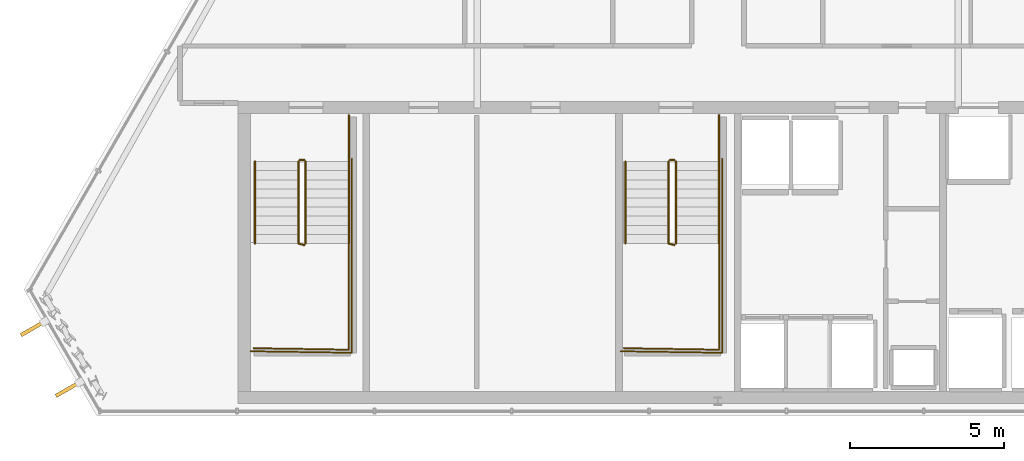
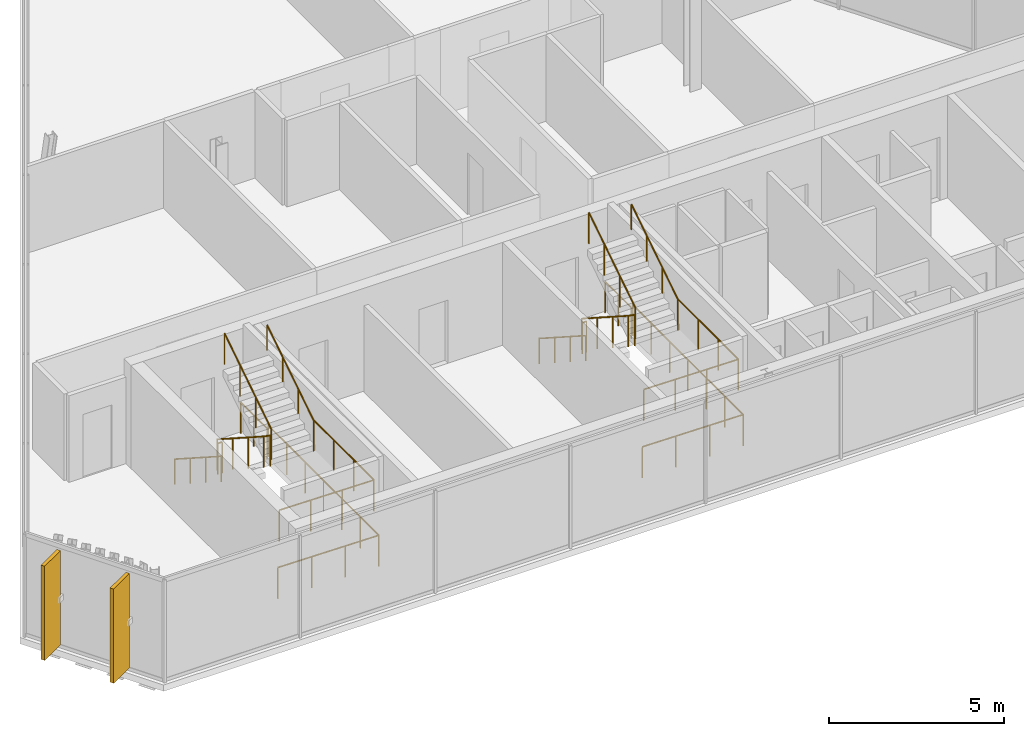
# One storey, part 30 of 32: 16 railings, 2 shading devices.
"""IFC4 building model written with IfcOpenShell, lengths in metres."""

from ifc_helpers import new_model, si_unit, direction, frame, origin, origin_2d, place, context, subcontext, project, spatial, rectangle, circle, extrude, material, layer, layer_set, type_object, element, save


model = new_model("IFC4")

# Units and contexts
model_context = context("Model", 3, precision=1e-05, world=origin(), true_north=direction((0.0, 1.0)))
body_context = subcontext(model_context, "Body", "Model", "MODEL_VIEW")
ifc_project = project(units=[si_unit("LENGTHUNIT", "METRE"), si_unit("AREAUNIT", "SQUARE_METRE"), si_unit("VOLUMEUNIT", "CUBIC_METRE"), si_unit("PLANEANGLEUNIT", "RADIAN"), si_unit("MASSUNIT", "GRAM", prefix="KILO")], contexts=[model_context])

# Site, building, storey
site_placement = place(None, origin())
site = spatial("IfcSite", under=ifc_project, at=site_placement, CompositionType="ELEMENT")
building_placement = place(site_placement, origin())
building = spatial("IfcBuilding", under=site, at=building_placement, Name="Ndaravel Arena Tower", CompositionType="ELEMENT")
storey_placement = place(building_placement, frame((0.0, 0.0, 290.89990234375)))
storey = spatial("IfcBuildingStorey", under=building, at=storey_placement, Name="L71", CompositionType="ELEMENT", Elevation=290.89990234375)

# Railings
ifc_material_1 = material(Name="Steel S355", Category="steel")
ifc_layer_1 = layer(ifc_material_1, 0.06005859375)
ifc_layer_set_1 = layer_set([ifc_layer_1], Name="Steel S355")
railing_type_1 = type_object("IfcRailingType", Name="RAIL-STAIR-GD1100", PredefinedType="GUARDRAIL", material=ifc_layer_set_1)
railing_1_placement = place(storey_placement, frame((28.39990234375, 13.25, 0.190185546875)))
element("IfcRailing", 1, at=railing_1_placement, inside=storey, type_object=railing_type_1, Name="L71 ST-1 stair guard 1", PredefinedType="GUARDRAIL", context=body_context, shape_type="SweptSolid", body=[
    extrude(circle(Radius=0.02392578125, at=origin_2d()), frame((0.0, 0.0, 1.076171875), z_axis=(0.0, -0.840723540582, 0.54146461409), x_axis=(1.0, 0.0, 0.0)), (0.0, 0.0, 1.0), 3.157958984375),
    extrude(circle(Radius=0.02392578125, at=origin_2d()), frame((0.0, -2.655029296875, 2.7861328125), z_axis=(0.967074537263, -0.25449329928, 0.0), x_axis=(0.25449329928, 0.967074537263, 0.0)), (0.0, 0.0, 1.0), 0.19677734375),
    extrude(circle(Radius=0.02099609375, at=origin_2d()), origin(), (0.0, 0.0, 1.0), 1.052001953125),
    extrude(circle(Radius=0.02099609375, at=origin_2d()), frame((0.0, -0.885009765625, 0.570068359375)), (0.0, 0.0, 1.0), 1.052001953125),
    extrude(circle(Radius=0.02099609375, at=origin_2d()), frame((0.0, -1.77001953125, 1.139892578125)), (0.0, 0.0, 1.0), 1.052001953125),
    extrude(circle(Radius=0.02099609375, at=origin_2d()), frame((0.0, -2.655029296875, 1.7099609375)), (0.0, 0.0, 1.0), 1.052001953125),
    extrude(circle(Radius=0.02099609375, at=origin_2d()), frame((0.190185546875, -2.705078125, 1.7099609375)), (0.0, 0.0, 1.0), 1.052001953125),
])
railing_2_placement = place(storey_placement, frame((30.0400390625, 10.594970703125, 1.900146484375)))
element("IfcRailing", 2, at=railing_2_placement, inside=storey, type_object=railing_type_1, Name="L71 ST-1 stair guard 2", PredefinedType="GUARDRAIL", context=body_context, shape_type="SweptSolid", body=[
    extrude(circle(Radius=0.02392578125, at=origin_2d()), frame((0.0, 0.0, 1.076171875), z_axis=(0.0, -1.0, 0.0), x_axis=(1.0, 0.0, 0.0)), (0.0, 0.0, 1.0), 3.445068359375),
    extrude(circle(Radius=0.02392578125, at=origin_2d()), frame((0.0, -3.445068359375, 1.076171875), z_axis=(-0.999868861343, 0.016194447071, 0.0), x_axis=(-0.016194447071, -0.999868861343, 0.0)), (0.0, 0.0, 1.0), 3.090576171875),
    extrude(circle(Radius=0.02099609375, at=origin_2d()), origin(), (0.0, 0.0, 1.0), 1.052001953125),
    extrude(circle(Radius=0.02099609375, at=origin_2d()), frame((0.0, -1.1484375, 0.0)), (0.0, 0.0, 1.0), 1.052001953125),
    extrude(circle(Radius=0.02099609375, at=origin_2d()), frame((0.0, -2.296630859375, 0.0)), (0.0, 0.0, 1.0), 1.052001953125),
    extrude(circle(Radius=0.02099609375, at=origin_2d()), frame((0.0, -3.445068359375, 0.0)), (0.0, 0.0, 1.0), 1.052001953125),
    extrude(circle(Radius=0.02099609375, at=origin_2d()), frame((-1.030029296875, -3.428466796875, 0.0)), (0.0, 0.0, 1.0), 1.052001953125),
    extrude(circle(Radius=0.02099609375, at=origin_2d()), frame((-2.06005859375, -3.41162109375, 0.0)), (0.0, 0.0, 1.0), 1.052001953125),
    extrude(circle(Radius=0.02099609375, at=origin_2d()), frame((-3.090087890625, -3.39501953125, 0.0)), (0.0, 0.0, 1.0), 1.052001953125),
])
railing_3_placement = place(storey_placement, frame((28.639892578125, 10.594970703125, 2.090087890625)))
element("IfcRailing", 3, at=railing_3_placement, inside=storey, type_object=railing_type_1, Name="L71 ST-1 stair guard 3", PredefinedType="GUARDRAIL", context=body_context, shape_type="SweptSolid", body=[
    extrude(circle(Radius=0.02392578125, at=origin_2d()), frame((0.0, 0.0, 1.076171875), z_axis=(0.0, 0.840723540582, 0.54146461409), x_axis=(-1.0, 0.0, 0.0)), (0.0, 0.0, 1.0), 3.157958984375),
    extrude(circle(Radius=0.02099609375, at=origin_2d()), origin(), (0.0, 0.0, 1.0), 1.052001953125),
    extrude(circle(Radius=0.02099609375, at=origin_2d()), frame((0.0, 0.885009765625, 0.570068359375)), (0.0, 0.0, 1.0), 1.052001953125),
    extrude(circle(Radius=0.02099609375, at=origin_2d()), frame((0.0, 1.77001953125, 1.139892578125)), (0.0, 0.0, 1.0), 1.052001953125),
    extrude(circle(Radius=0.02099609375, at=origin_2d()), frame((0.0, 2.655029296875, 1.7099609375)), (0.0, 0.0, 1.0), 1.052001953125),
])
railing_4_placement = place(storey_placement, frame((28.449951171875, 13.300048828125, 0.0)))
element("IfcRailing", 4, at=railing_4_placement, inside=storey, type_object=railing_type_1, Name="L71 ST-1 stair guard 4", PredefinedType="GUARDRAIL", context=body_context, shape_type="SweptSolid", body=[
    extrude(circle(Radius=0.02392578125, at=origin_2d()), frame((0.0, 0.0, 1.076171875), z_axis=(1.0, 0.0, 0.0), x_axis=(0.0, 1.0, 0.0)), (0.0, 0.0, 1.0), 0.14013671875),
    extrude(circle(Radius=0.02099609375, at=origin_2d()), origin(), (0.0, 0.0, 1.0), 1.052001953125),
    extrude(circle(Radius=0.02099609375, at=origin_2d()), frame((0.14013671875, 0.0, 0.0)), (0.0, 0.0, 1.0), 1.052001953125),
])
railing_5_placement = place(storey_placement, frame((30.0400390625, 14.75, 0.0)))
element("IfcRailing", 5, at=railing_5_placement, inside=storey, type_object=railing_type_1, Name="L71 ST-1 stair guard 5", PredefinedType="GUARDRAIL", context=body_context, shape_type="SweptSolid", body=[
    extrude(circle(Radius=0.02392578125, at=origin_2d()), frame((0.0, 0.0, 1.076171875), z_axis=(0.0, -1.0, 0.0), x_axis=(1.0, 0.0, 0.0)), (0.0, 0.0, 1.0), 1.5),
    extrude(circle(Radius=0.02099609375, at=origin_2d()), origin(), (0.0, 0.0, 1.0), 1.052001953125),
    extrude(circle(Radius=0.02099609375, at=origin_2d()), frame((0.0, -0.75, 0.0)), (0.0, 0.0, 1.0), 1.052001953125),
    extrude(circle(Radius=0.02099609375, at=origin_2d()), frame((0.0, -1.5, 0.0)), (0.0, 0.0, 1.0), 1.052001953125),
])
railing_6_placement = place(storey_placement, frame((30.139892578125, 13.35009765625, 0.0)))
element("IfcRailing", 6, at=railing_6_placement, inside=storey, type_object=railing_type_1, Name="L71 ST-1 stair guard 6", PredefinedType="GUARDRAIL", context=body_context, shape_type="SweptSolid", body=[
    extrude(circle(Radius=0.02392578125, at=origin_2d()), frame((0.0, 0.0, 1.076171875), z_axis=(0.0, -1.0, 0.0), x_axis=(1.0, 0.0, 0.0)), (0.0, 0.0, 1.0), 6.300048828125),
    extrude(circle(Radius=0.02392578125, at=origin_2d()), frame((0.0, -6.300048828125, 1.076171875), z_axis=(-0.999884296952, 0.015211597839, 0.0), x_axis=(-0.015211597839, -0.999884296952, 0.0)), (0.0, 0.0, 1.0), 3.290283203125),
    extrude(circle(Radius=0.02099609375, at=origin_2d()), origin(), (0.0, 0.0, 1.0), 1.052001953125),
    extrude(circle(Radius=0.02099609375, at=origin_2d()), frame((0.0, -1.050048828125, 0.0)), (0.0, 0.0, 1.0), 1.052001953125),
    extrude(circle(Radius=0.02099609375, at=origin_2d()), frame((0.0, -2.10009765625, 0.0)), (0.0, 0.0, 1.0), 1.052001953125),
    extrude(circle(Radius=0.02099609375, at=origin_2d()), frame((0.0, -3.14990234375, 0.0)), (0.0, 0.0, 1.0), 1.052001953125),
    extrude(circle(Radius=0.02099609375, at=origin_2d()), frame((0.0, -4.199951171875, 0.0)), (0.0, 0.0, 1.0), 1.052001953125),
    extrude(circle(Radius=0.02099609375, at=origin_2d()), frame((0.0, -5.25, 0.0)), (0.0, 0.0, 1.0), 1.052001953125),
    extrude(circle(Radius=0.02099609375, at=origin_2d()), frame((0.0, -6.300048828125, 0.0)), (0.0, 0.0, 1.0), 1.052001953125),
    extrude(circle(Radius=0.02099609375, at=origin_2d()), frame((-1.0966796875, -6.283447265625, 0.0)), (0.0, 0.0, 1.0), 1.052001953125),
    extrude(circle(Radius=0.02099609375, at=origin_2d()), frame((-2.193115234375, -6.2666015625, 0.0)), (0.0, 0.0, 1.0), 1.052001953125),
    extrude(circle(Radius=0.02099609375, at=origin_2d()), frame((-3.289794921875, -6.25, 0.0)), (0.0, 0.0, 1.0), 1.052001953125),
])
railing_7_placement = place(storey_placement, frame((40.39990234375, 13.25, 0.190185546875)))
element("IfcRailing", 7, at=railing_7_placement, inside=storey, type_object=railing_type_1, Name="L71 ST-2 stair guard 1", PredefinedType="GUARDRAIL", context=body_context, shape_type="SweptSolid", body=[
    extrude(circle(Radius=0.02392578125, at=origin_2d()), frame((0.0, 0.0, 1.076171875), z_axis=(0.0, -0.840723540582, 0.54146461409), x_axis=(1.0, 0.0, 0.0)), (0.0, 0.0, 1.0), 3.157958984375),
    extrude(circle(Radius=0.02392578125, at=origin_2d()), frame((0.0, -2.655029296875, 2.7861328125), z_axis=(0.967074537263, -0.25449329928, 0.0), x_axis=(0.25449329928, 0.967074537263, 0.0)), (0.0, 0.0, 1.0), 0.19677734375),
    extrude(circle(Radius=0.02099609375, at=origin_2d()), origin(), (0.0, 0.0, 1.0), 1.052001953125),
    extrude(circle(Radius=0.02099609375, at=origin_2d()), frame((0.0, -0.885009765625, 0.570068359375)), (0.0, 0.0, 1.0), 1.052001953125),
    extrude(circle(Radius=0.02099609375, at=origin_2d()), frame((0.0, -1.77001953125, 1.139892578125)), (0.0, 0.0, 1.0), 1.052001953125),
    extrude(circle(Radius=0.02099609375, at=origin_2d()), frame((0.0, -2.655029296875, 1.7099609375)), (0.0, 0.0, 1.0), 1.052001953125),
    extrude(circle(Radius=0.02099609375, at=origin_2d()), frame((0.190185546875, -2.705078125, 1.7099609375)), (0.0, 0.0, 1.0), 1.052001953125),
])
railing_8_placement = place(storey_placement, frame((42.0400390625, 10.594970703125, 1.900146484375)))
element("IfcRailing", 8, at=railing_8_placement, inside=storey, type_object=railing_type_1, Name="L71 ST-2 stair guard 2", PredefinedType="GUARDRAIL", context=body_context, shape_type="SweptSolid", body=[
    extrude(circle(Radius=0.02392578125, at=origin_2d()), frame((0.0, 0.0, 1.076171875), z_axis=(0.0, -1.0, 0.0), x_axis=(1.0, 0.0, 0.0)), (0.0, 0.0, 1.0), 3.445068359375),
    extrude(circle(Radius=0.02392578125, at=origin_2d()), frame((0.0, -3.445068359375, 1.076171875), z_axis=(-0.999868861343, 0.016194447071, 0.0), x_axis=(-0.016194447071, -0.999868861343, 0.0)), (0.0, 0.0, 1.0), 3.090576171875),
    extrude(circle(Radius=0.02099609375, at=origin_2d()), origin(), (0.0, 0.0, 1.0), 1.052001953125),
    extrude(circle(Radius=0.02099609375, at=origin_2d()), frame((0.0, -1.1484375, 0.0)), (0.0, 0.0, 1.0), 1.052001953125),
    extrude(circle(Radius=0.02099609375, at=origin_2d()), frame((0.0, -2.296630859375, 0.0)), (0.0, 0.0, 1.0), 1.052001953125),
    extrude(circle(Radius=0.02099609375, at=origin_2d()), frame((0.0, -3.445068359375, 0.0)), (0.0, 0.0, 1.0), 1.052001953125),
    extrude(circle(Radius=0.02099609375, at=origin_2d()), frame((-1.030029296875, -3.428466796875, 0.0)), (0.0, 0.0, 1.0), 1.052001953125),
    extrude(circle(Radius=0.02099609375, at=origin_2d()), frame((-2.06005859375, -3.41162109375, 0.0)), (0.0, 0.0, 1.0), 1.052001953125),
    extrude(circle(Radius=0.02099609375, at=origin_2d()), frame((-3.090087890625, -3.39501953125, 0.0)), (0.0, 0.0, 1.0), 1.052001953125),
])
railing_9_placement = place(storey_placement, frame((40.639892578125, 10.594970703125, 2.090087890625)))
element("IfcRailing", 9, at=railing_9_placement, inside=storey, type_object=railing_type_1, Name="L71 ST-2 stair guard 3", PredefinedType="GUARDRAIL", context=body_context, shape_type="SweptSolid", body=[
    extrude(circle(Radius=0.02392578125, at=origin_2d()), frame((0.0, 0.0, 1.076171875), z_axis=(0.0, 0.840723540582, 0.54146461409), x_axis=(-1.0, 0.0, 0.0)), (0.0, 0.0, 1.0), 3.157958984375),
    extrude(circle(Radius=0.02099609375, at=origin_2d()), origin(), (0.0, 0.0, 1.0), 1.052001953125),
    extrude(circle(Radius=0.02099609375, at=origin_2d()), frame((0.0, 0.885009765625, 0.570068359375)), (0.0, 0.0, 1.0), 1.052001953125),
    extrude(circle(Radius=0.02099609375, at=origin_2d()), frame((0.0, 1.77001953125, 1.139892578125)), (0.0, 0.0, 1.0), 1.052001953125),
    extrude(circle(Radius=0.02099609375, at=origin_2d()), frame((0.0, 2.655029296875, 1.7099609375)), (0.0, 0.0, 1.0), 1.052001953125),
])
railing_10_placement = place(storey_placement, frame((40.449951171875, 13.300048828125, 0.0)))
element("IfcRailing", 10, at=railing_10_placement, inside=storey, type_object=railing_type_1, Name="L71 ST-2 stair guard 4", PredefinedType="GUARDRAIL", context=body_context, shape_type="SweptSolid", body=[
    extrude(circle(Radius=0.02392578125, at=origin_2d()), frame((0.0, 0.0, 1.076171875), z_axis=(1.0, 0.0, 0.0), x_axis=(0.0, 1.0, 0.0)), (0.0, 0.0, 1.0), 0.14013671875),
    extrude(circle(Radius=0.02099609375, at=origin_2d()), origin(), (0.0, 0.0, 1.0), 1.052001953125),
    extrude(circle(Radius=0.02099609375, at=origin_2d()), frame((0.14013671875, 0.0, 0.0)), (0.0, 0.0, 1.0), 1.052001953125),
])
railing_11_placement = place(storey_placement, frame((42.0400390625, 14.75, 0.0)))
element("IfcRailing", 11, at=railing_11_placement, inside=storey, type_object=railing_type_1, Name="L71 ST-2 stair guard 5", PredefinedType="GUARDRAIL", context=body_context, shape_type="SweptSolid", body=[
    extrude(circle(Radius=0.02392578125, at=origin_2d()), frame((0.0, 0.0, 1.076171875), z_axis=(0.0, -1.0, 0.0), x_axis=(1.0, 0.0, 0.0)), (0.0, 0.0, 1.0), 1.5),
    extrude(circle(Radius=0.02099609375, at=origin_2d()), origin(), (0.0, 0.0, 1.0), 1.052001953125),
    extrude(circle(Radius=0.02099609375, at=origin_2d()), frame((0.0, -0.75, 0.0)), (0.0, 0.0, 1.0), 1.052001953125),
    extrude(circle(Radius=0.02099609375, at=origin_2d()), frame((0.0, -1.5, 0.0)), (0.0, 0.0, 1.0), 1.052001953125),
])
railing_12_placement = place(storey_placement, frame((42.139892578125, 13.35009765625, 0.0)))
element("IfcRailing", 12, at=railing_12_placement, inside=storey, type_object=railing_type_1, Name="L71 ST-2 stair guard 6", PredefinedType="GUARDRAIL", context=body_context, shape_type="SweptSolid", body=[
    extrude(circle(Radius=0.02392578125, at=origin_2d()), frame((0.0, 0.0, 1.076171875), z_axis=(0.0, -1.0, 0.0), x_axis=(1.0, 0.0, 0.0)), (0.0, 0.0, 1.0), 6.300048828125),
    extrude(circle(Radius=0.02392578125, at=origin_2d()), frame((0.0, -6.300048828125, 1.076171875), z_axis=(-0.999884296952, 0.015211597839, 0.0), x_axis=(-0.015211597839, -0.999884296952, 0.0)), (0.0, 0.0, 1.0), 3.290283203125),
    extrude(circle(Radius=0.02099609375, at=origin_2d()), origin(), (0.0, 0.0, 1.0), 1.052001953125),
    extrude(circle(Radius=0.02099609375, at=origin_2d()), frame((0.0, -1.050048828125, 0.0)), (0.0, 0.0, 1.0), 1.052001953125),
    extrude(circle(Radius=0.02099609375, at=origin_2d()), frame((0.0, -2.10009765625, 0.0)), (0.0, 0.0, 1.0), 1.052001953125),
    extrude(circle(Radius=0.02099609375, at=origin_2d()), frame((0.0, -3.14990234375, 0.0)), (0.0, 0.0, 1.0), 1.052001953125),
    extrude(circle(Radius=0.02099609375, at=origin_2d()), frame((0.0, -4.199951171875, 0.0)), (0.0, 0.0, 1.0), 1.052001953125),
    extrude(circle(Radius=0.02099609375, at=origin_2d()), frame((0.0, -5.25, 0.0)), (0.0, 0.0, 1.0), 1.052001953125),
    extrude(circle(Radius=0.02099609375, at=origin_2d()), frame((0.0, -6.300048828125, 0.0)), (0.0, 0.0, 1.0), 1.052001953125),
    extrude(circle(Radius=0.02099609375, at=origin_2d()), frame((-1.0966796875, -6.283447265625, 0.0)), (0.0, 0.0, 1.0), 1.052001953125),
    extrude(circle(Radius=0.02099609375, at=origin_2d()), frame((-2.193115234375, -6.2666015625, 0.0)), (0.0, 0.0, 1.0), 1.052001953125),
    extrude(circle(Radius=0.02099609375, at=origin_2d()), frame((-3.289794921875, -6.25, 0.0)), (0.0, 0.0, 1.0), 1.052001953125),
])
ifc_material_2 = material(Name="Steel S355", Category="steel")
ifc_layer_2 = layer(ifc_material_2, 0.050048828125)
ifc_layer_set_2 = layer_set([ifc_layer_2], Name="Steel S355")
railing_type_2 = type_object("IfcRailingType", Name="RAIL-STAIR-HR920", PredefinedType="HANDRAIL", material=ifc_layer_set_2)
railing_13_placement = place(storey_placement, frame((27.0, 13.25, 0.190185546875)))
element("IfcRailing", 13, at=railing_13_placement, inside=storey, type_object=railing_type_2, Name="L71 ST-1 stair handrail 1", PredefinedType="HANDRAIL", context=body_context, shape_type="SweptSolid", body=[
    extrude(circle(Radius=0.02392578125, at=origin_2d()), frame((0.0, 0.0, 0.8759765625), z_axis=(0.0, -0.840723540582, 0.54146461409), x_axis=(1.0, 0.0, 0.0)), (0.0, 0.0, 1.0), 3.157958984375),
    extrude(circle(Radius=0.02099609375, at=origin_2d()), origin(), (0.0, 0.0, 1.0), 0.851806640625),
    extrude(circle(Radius=0.02099609375, at=origin_2d()), frame((0.0, -0.885009765625, 0.570068359375)), (0.0, 0.0, 1.0), 0.851806640625),
    extrude(circle(Radius=0.02099609375, at=origin_2d()), frame((0.0, -1.77001953125, 1.139892578125)), (0.0, 0.0, 1.0), 0.851806640625),
    extrude(circle(Radius=0.02099609375, at=origin_2d()), frame((0.0, -2.655029296875, 1.7099609375)), (0.0, 0.0, 1.0), 0.851806640625),
])
railing_14_placement = place(storey_placement, frame((30.0400390625, 10.594970703125, 2.090087890625)))
element("IfcRailing", 14, at=railing_14_placement, inside=storey, type_object=railing_type_2, Name="L71 ST-1 stair handrail 2", PredefinedType="HANDRAIL", context=body_context, shape_type="SweptSolid", body=[
    extrude(circle(Radius=0.02392578125, at=origin_2d()), frame((0.0, 0.0, 0.8759765625), z_axis=(0.0, 0.840723540582, 0.54146461409), x_axis=(-1.0, 0.0, 0.0)), (0.0, 0.0, 1.0), 3.157958984375),
    extrude(circle(Radius=0.02099609375, at=origin_2d()), origin(), (0.0, 0.0, 1.0), 0.851806640625),
    extrude(circle(Radius=0.02099609375, at=origin_2d()), frame((0.0, 0.885009765625, 0.570068359375)), (0.0, 0.0, 1.0), 0.851806640625),
    extrude(circle(Radius=0.02099609375, at=origin_2d()), frame((0.0, 1.77001953125, 1.139892578125)), (0.0, 0.0, 1.0), 0.851806640625),
    extrude(circle(Radius=0.02099609375, at=origin_2d()), frame((0.0, 2.655029296875, 1.7099609375)), (0.0, 0.0, 1.0), 0.851806640625),
])
railing_15_placement = place(storey_placement, frame((39.0, 13.25, 0.190185546875)))
element("IfcRailing", 15, at=railing_15_placement, inside=storey, type_object=railing_type_2, Name="L71 ST-2 stair handrail 1", PredefinedType="HANDRAIL", context=body_context, shape_type="SweptSolid", body=[
    extrude(circle(Radius=0.02392578125, at=origin_2d()), frame((0.0, 0.0, 0.8759765625), z_axis=(0.0, -0.840723540582, 0.54146461409), x_axis=(1.0, 0.0, 0.0)), (0.0, 0.0, 1.0), 3.157958984375),
    extrude(circle(Radius=0.02099609375, at=origin_2d()), origin(), (0.0, 0.0, 1.0), 0.851806640625),
    extrude(circle(Radius=0.02099609375, at=origin_2d()), frame((0.0, -0.885009765625, 0.570068359375)), (0.0, 0.0, 1.0), 0.851806640625),
    extrude(circle(Radius=0.02099609375, at=origin_2d()), frame((0.0, -1.77001953125, 1.139892578125)), (0.0, 0.0, 1.0), 0.851806640625),
    extrude(circle(Radius=0.02099609375, at=origin_2d()), frame((0.0, -2.655029296875, 1.7099609375)), (0.0, 0.0, 1.0), 0.851806640625),
])
railing_16_placement = place(storey_placement, frame((42.0400390625, 10.594970703125, 2.090087890625)))
element("IfcRailing", 16, at=railing_16_placement, inside=storey, type_object=railing_type_2, Name="L71 ST-2 stair handrail 2", PredefinedType="HANDRAIL", context=body_context, shape_type="SweptSolid", body=[
    extrude(circle(Radius=0.02392578125, at=origin_2d()), frame((0.0, 0.0, 0.8759765625), z_axis=(0.0, 0.840723540582, 0.54146461409), x_axis=(-1.0, 0.0, 0.0)), (0.0, 0.0, 1.0), 3.157958984375),
    extrude(circle(Radius=0.02099609375, at=origin_2d()), origin(), (0.0, 0.0, 1.0), 0.851806640625),
    extrude(circle(Radius=0.02099609375, at=origin_2d()), frame((0.0, 0.885009765625, 0.570068359375)), (0.0, 0.0, 1.0), 0.851806640625),
    extrude(circle(Radius=0.02099609375, at=origin_2d()), frame((0.0, 1.77001953125, 1.139892578125)), (0.0, 0.0, 1.0), 0.851806640625),
    extrude(circle(Radius=0.02099609375, at=origin_2d()), frame((0.0, 2.655029296875, 1.7099609375)), (0.0, 0.0, 1.0), 0.851806640625),
])

# Shading devices
ifc_material_3 = material(Name="Masonry", Category="masonry")
shading_device_type = type_object("IfcShadingDeviceType", Name="SHD-MAZERAS-FIN", PredefinedType="SHUTTER", material=ifc_material_3)
for number, where, z_axis, x_axis, name in (
    (17, (19.798095703125, 7.844970703125, 0.14990234375), (0.0, 0.0, 1.0), (-0.866025403784, -0.5, 0.0), "L71 Mazeras Stone Solar Fin E6.1"),
    (18, (20.934326171875, 5.876953125, 0.14990234375), (0.0, 0.0, 1.0), (-0.866025403784, -0.5, 0.0), "L71 Mazeras Stone Solar Fin E6.2"),
):
    element("IfcShadingDevice", number, at=place(storey_placement, frame(where, z_axis=z_axis, x_axis=x_axis)), inside=storey, type_object=shading_device_type, Name=name, PredefinedType="SHUTTER", context=body_context, shape_type="SweptSolid", body=[
        extrude(rectangle(XDim=0.89990234375, YDim=0.1201171875, at=origin_2d()), origin(), (0.0, 0.0, 1.0), 3.280029296875),
    ])

save(model, "model.ifc")
